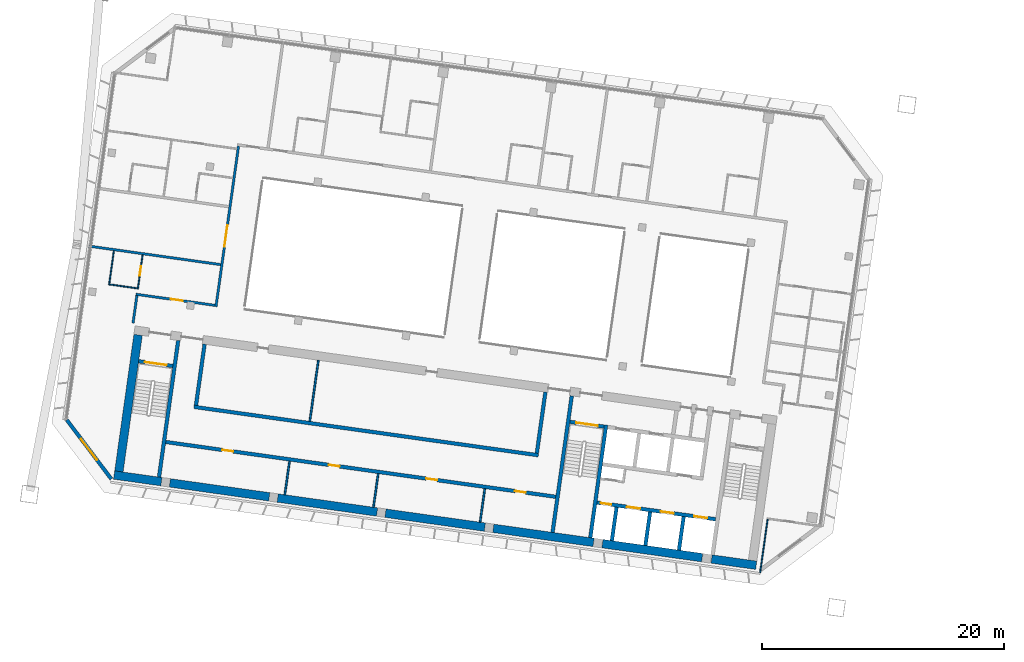
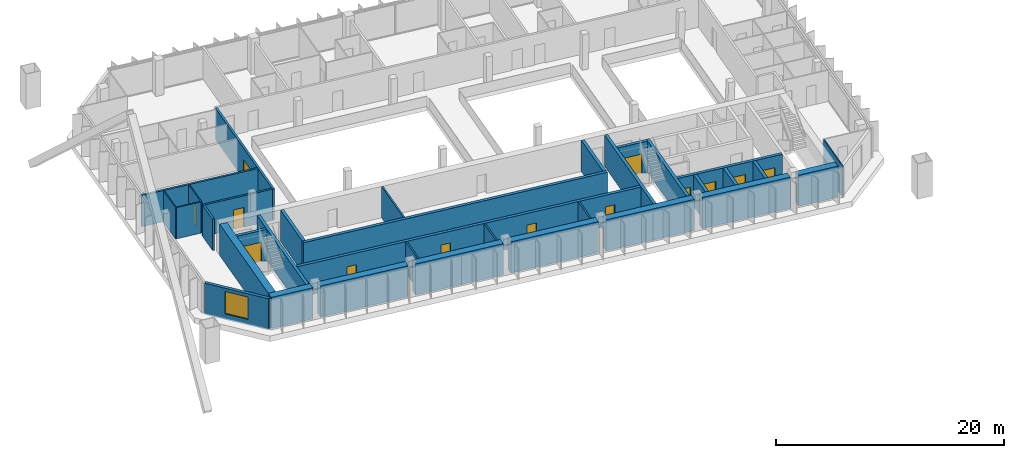
# One storey, part 16 of 28: 34 walls, 13 doors, 1 window, 14 openings.
"""IFC4 building model written with IfcOpenShell, lengths in metres."""

from ifc_helpers import new_model, si_unit, direction, frame, frame_2d, origin, place, context, subcontext, project, spatial, rectangle, extrude, material, layer, layer_set, type_object, element, fill, save


model = new_model("IFC4")

# Units and contexts
model_context = context("Model", 3, precision=1e-05, world=origin(), true_north=direction((0.0, 1.0)))
body_context = subcontext(model_context, "Body", "Model", "MODEL_VIEW")
ifc_project = project(units=[si_unit("LENGTHUNIT", "METRE"), si_unit("AREAUNIT", "SQUARE_METRE"), si_unit("VOLUMEUNIT", "CUBIC_METRE"), si_unit("PLANEANGLEUNIT", "RADIAN"), si_unit("MASSUNIT", "GRAM", prefix="KILO")], contexts=[model_context])

# Site, building, storey
site_placement = place(None, origin())
site = spatial("IfcSite", under=ifc_project, at=site_placement, CompositionType="ELEMENT")
building_placement = place(site_placement, origin())
building = spatial("IfcBuilding", under=site, at=building_placement, Name="Mirante Cascada Hotel Towers", CompositionType="ELEMENT")
storey_placement = place(building_placement, frame((0.0, 0.0, 165.0)))
storey = spatial("IfcBuildingStorey", under=building, at=storey_placement, Name="L38", CompositionType="ELEMENT", Elevation=165.0)

# Wall, opening, door
ifc_material_1 = material(Name="Fire-rated plasterboard on metal studs")
ifc_layer_1 = layer(ifc_material_1, 0.2)
ifc_layer_set_1 = layer_set([ifc_layer_1], Name="Compartment wall 200 EI 120")
wall_type_1 = type_object("IfcWallType", Name="Compartment wall 200 EI 120", PredefinedType="PARTITIONING", material=ifc_layer_set_1)
wall_1_placement = place(storey_placement, frame((-88.5029, 2.7886, 0.0), z_axis=(0.0, 0.0, 1.0), x_axis=(0.990269, -0.1391661, 0.0)))
wall_1 = element("IfcWall", 1, at=wall_1_placement, inside=storey, type_object=wall_type_1, Name="Wall 1-L38-04", PredefinedType="PARTITIONING", context=body_context, shape_type="SweptSolid", body=[
    extrude(rectangle(XDim=6.6, YDim=0.2, at=frame_2d((3.3, 0.0))), origin(), (0.0, 0.0, 1.0), 3.35),
])
opening_1_placement = place(wall_1_placement, frame((2.9, 0.0, 0.0)))
opening_1 = element("IfcOpeningElement", 2, at=opening_1_placement, cuts=wall_1, Name="Opening D1-L38-04", PredefinedType="OPENING", context=body_context, shape_type="SweptSolid", body=[
    extrude(rectangle(XDim=1.0, YDim=2.1, at=frame_2d((0.5, 1.05))), frame((0.0, 0.1, 0.0), z_axis=(0.0, -1.0, 0.0), x_axis=(1.0, 0.0, 0.0)), (0.0, 0.0, 1.0), 0.2),
])
ifc_material_2 = material(Name="Fire-rated timber door leaf", Category="wood")
door_type_1 = type_object("IfcDoorType", Name="Entrance door DG1 1000x2100 EI 60", OperationType="SINGLE_SWING_LEFT", PredefinedType="DOOR", material=ifc_material_2)
door_1_placement = place(opening_1_placement, frame((1.0, 0.0, 0.0), z_axis=(0.0, 0.0, 1.0), x_axis=(-1.0, 0.0, 0.0)))
door_1 = element("IfcDoor", 3, at=door_1_placement, inside=storey, type_object=door_type_1, Name="Door D1-L38-04", OperationType="SINGLE_SWING_RIGHT", OverallHeight=2.1, OverallWidth=1.0, PredefinedType="DOOR", context=body_context, shape_type="SweptSolid", body=[
    extrude(rectangle(XDim=1.0, YDim=2.1, at=frame_2d((0.5, 1.05))), frame((0.0, 0.025, 0.0), z_axis=(0.0, -1.0, 0.0), x_axis=(1.0, 0.0, 0.0)), (0.0, 0.0, 1.0), 0.05),
])
fill(opening_1, door_1)

# Wall
wall_2_placement = place(storey_placement, frame((-92.3869, 6.7679, 0.0), z_axis=(0.0, 0.0, 1.0), x_axis=(0.9902682, -0.1391721, 0.0)))
element("IfcWall", 4, at=wall_2_placement, inside=storey, type_object=wall_type_1, Name="Wall 1-L38-08", PredefinedType="PARTITIONING", context=body_context, shape_type="SweptSolid", body=[
    extrude(rectangle(XDim=11.0001, YDim=0.2, at=frame_2d((5.5, 0.0))), origin(), (0.0, 0.0, 1.0), 3.35),
])

# Wall, opening, door
wall_3_placement = place(storey_placement, frame((-80.0171, 15.0267, 0.0), z_axis=(0.0, 0.0, 1.0), x_axis=(-0.1391716, -0.9902683, 0.0)))
wall_3 = element("IfcWall", 5, at=wall_3_placement, inside=storey, type_object=wall_type_1, Name="Wall 1-L38-44", PredefinedType="PARTITIONING", context=body_context, shape_type="SweptSolid", body=[
    extrude(rectangle(XDim=13.4, YDim=0.2, at=frame_2d((6.7, 0.0))), origin(), (0.0, 0.0, 1.0), 3.35),
])
opening_2_placement = place(wall_3_placement, frame((6.5834, 0.0, 0.0)))
opening_2 = element("IfcOpeningElement", 6, at=opening_2_placement, cuts=wall_3, Name="Opening D1-L38-30", PredefinedType="OPENING", context=body_context, shape_type="SweptSolid", body=[
    extrude(rectangle(XDim=1.8, YDim=2.1, at=frame_2d((0.9, 1.05))), frame((0.0, 0.1, 0.0), z_axis=(0.0, -1.0, 0.0), x_axis=(1.0, 0.0, 0.0)), (0.0, 0.0, 1.0), 0.2),
])
ifc_material_3 = material(Name="Fire-rated timber door leaf", Category="wood")
door_type_2 = type_object("IfcDoorType", Name="Suite double door DG2 1800x2100 EI 60", OperationType="DOUBLE_DOOR_SINGLE_SWING", PredefinedType="DOOR", material=ifc_material_3)
door_2_placement = place(opening_2_placement, origin())
door_2 = element("IfcDoor", 7, at=door_2_placement, inside=storey, type_object=door_type_2, Name="Door D1-L38-30", OperationType="DOUBLE_DOOR_SINGLE_SWING", OverallHeight=2.1, OverallWidth=1.8, PredefinedType="DOOR", context=body_context, shape_type="SweptSolid", body=[
    extrude(rectangle(XDim=0.895, YDim=2.1, at=frame_2d((0.4475, 1.05))), frame((0.0, 0.025, 0.0), z_axis=(0.0, -1.0, 0.0), x_axis=(1.0, 0.0, 0.0)), (0.0, 0.0, 1.0), 0.05),
    extrude(rectangle(XDim=0.895, YDim=2.1, at=frame_2d((1.3525, 1.05))), frame((0.0, 0.025, 0.0), z_axis=(0.0, -1.0, 0.0), x_axis=(1.0, 0.0, 0.0)), (0.0, 0.0, 1.0), 0.05),
])
fill(opening_2, door_2)

# Walls
wall_4_placement = place(storey_placement, frame((-88.7379, 0.3981, 0.0), z_axis=(0.0, 0.0, 1.0), x_axis=(0.1391749, 0.9902678, 0.0)))
element("IfcWall", 8, at=wall_4_placement, inside=storey, type_object=wall_type_1, Name="Wall 1-L38-47", PredefinedType="PARTITIONING", context=body_context, shape_type="SweptSolid", body=[
    extrude(rectangle(XDim=2.3, YDim=0.2, at=frame_2d((1.15, 0.0))), origin(), (0.0, 0.0, 1.0), 3.35),
])
ifc_material_4 = material(Name="Masonry block", Category="masonry")
ifc_layer_2 = layer(ifc_material_4, 0.15)
ifc_layer_set_2 = layer_set([ifc_layer_2], Name="Core room partition 150 block EI 30")
wall_type_2 = type_object("IfcWallType", Name="Core room partition 150 block EI 30", PredefinedType="PARTITIONING", material=ifc_layer_set_2)
wall_5_placement = place(storey_placement, frame((-60.0485, -16.0548, 0.0), z_axis=(0.0, 0.0, 1.0), x_axis=(0.139181, 0.990267, 0.0)))
element("IfcWall", 9, at=wall_5_placement, inside=storey, type_object=wall_type_2, Name="Core wall partition T1 L38 6", PredefinedType="PARTITIONING", context=body_context, shape_type="SweptSolid", body=[
    extrude(rectangle(XDim=2.8, YDim=0.15, at=frame_2d((1.4, 0.0))), origin(), (0.0, 0.0, 1.0), 3.35),
])
wall_6_placement = place(storey_placement, frame((-68.8619, -14.8162, 0.0), z_axis=(0.0, 0.0, 1.0), x_axis=(0.139176, 0.9902677, 0.0)))
element("IfcWall", 10, at=wall_6_placement, inside=storey, type_object=wall_type_2, Name="Core wall partition T1 L38 7", PredefinedType="PARTITIONING", context=body_context, shape_type="SweptSolid", body=[
    extrude(rectangle(XDim=2.8001, YDim=0.15, at=frame_2d((1.4, 0.0))), origin(), (0.0, 0.0, 1.0), 3.35),
])
wall_7_placement = place(storey_placement, frame((-76.1899, -13.7863, 0.0), z_axis=(0.0, 0.0, 1.0), x_axis=(0.139181, 0.990267, 0.0)))
element("IfcWall", 11, at=wall_7_placement, inside=storey, type_object=wall_type_2, Name="Core wall partition T1 L38 8", PredefinedType="PARTITIONING", context=body_context, shape_type="SweptSolid", body=[
    extrude(rectangle(XDim=2.8, YDim=0.15, at=frame_2d((1.4, 0.0))), origin(), (0.0, 0.0, 1.0), 3.35),
])
wall_8_placement = place(storey_placement, frame((-74.1247, -7.7146, 0.0), z_axis=(0.0, 0.0, 1.0), x_axis=(0.139159, 0.9902701, 0.0)))
element("IfcWall", 12, at=wall_8_placement, inside=storey, type_object=wall_type_2, Name="Core wall partition T1 L38 9", PredefinedType="PARTITIONING", context=body_context, shape_type="SweptSolid", body=[
    extrude(rectangle(XDim=5.0999, YDim=0.15, at=frame_2d((2.55, 0.0))), origin(), (0.0, 0.0, 1.0), 3.35),
])

# Wall, openings, doors
ifc_material_5 = material(Name="Masonry block", Category="masonry")
ifc_layer_3 = layer(ifc_material_5, 0.3)
ifc_layer_set_3 = layer_set([ifc_layer_3], Name="Core wall 300 block EI 120")
wall_type_3 = type_object("IfcWallType", Name="Core wall 300 block EI 120", PredefinedType="PARTITIONING", material=ifc_layer_set_3)
wall_9_placement = place(storey_placement, frame((-53.7953, -13.9547, 0.0), z_axis=(0.0, 0.0, 1.0), x_axis=(-0.990268, 0.1391733, 0.0)))
wall_9 = element("IfcWall", 13, at=wall_9_placement, inside=storey, type_object=wall_type_3, Name="Core wall partition T1 L38 5", PredefinedType="PARTITIONING", context=body_context, shape_type="SweptSolid", body=[
    extrude(rectangle(XDim=32.5501, YDim=0.3, at=frame_2d((16.275, 0.0))), origin(), (0.0, 0.0, 1.0), 3.35),
])
opening_3_placement = place(wall_9_placement, frame((2.5, 0.0, 0.0)))
opening_3 = element("IfcOpeningElement", 14, at=opening_3_placement, cuts=wall_9, Name="Opening D1-38-C20", PredefinedType="OPENING", context=body_context, shape_type="SweptSolid", body=[
    extrude(rectangle(XDim=0.9, YDim=2.1, at=frame_2d((0.45, 1.05))), frame((0.0, 0.15, 0.0), z_axis=(0.0, -1.0, 0.0), x_axis=(1.0, 0.0, 0.0)), (0.0, 0.0, 1.0), 0.3),
])
opening_4_placement = place(wall_9_placement, frame((9.9, 0.0, 0.0)))
opening_4 = element("IfcOpeningElement", 15, at=opening_4_placement, cuts=wall_9, Name="Opening D1-38-C21", PredefinedType="OPENING", context=body_context, shape_type="SweptSolid", body=[
    extrude(rectangle(XDim=0.9, YDim=2.1, at=frame_2d((0.45, 1.05))), frame((0.0, 0.15, 0.0), z_axis=(0.0, -1.0, 0.0), x_axis=(1.0, 0.0, 0.0)), (0.0, 0.0, 1.0), 0.3),
])
opening_5_placement = place(wall_9_placement, frame((18.05, 0.0, 0.0)))
opening_5 = element("IfcOpeningElement", 16, at=opening_5_placement, cuts=wall_9, Name="Opening D1-38-C22", PredefinedType="OPENING", context=body_context, shape_type="SweptSolid", body=[
    extrude(rectangle(XDim=0.9, YDim=2.1, at=frame_2d((0.45, 1.05))), frame((0.0, 0.15, 0.0), z_axis=(0.0, -1.0, 0.0), x_axis=(1.0, 0.0, 0.0)), (0.0, 0.0, 1.0), 0.3),
])
opening_6_placement = place(wall_9_placement, frame((26.925, 0.0, 0.0)))
opening_6 = element("IfcOpeningElement", 17, at=opening_6_placement, cuts=wall_9, Name="Opening D1-38-C23", PredefinedType="OPENING", context=body_context, shape_type="SweptSolid", body=[
    extrude(rectangle(XDim=0.9, YDim=2.1, at=frame_2d((0.45, 1.05))), frame((0.0, 0.15, 0.0), z_axis=(0.0, -1.0, 0.0), x_axis=(1.0, 0.0, 0.0)), (0.0, 0.0, 1.0), 0.3),
])
ifc_material_6 = material(Name="Hollow metal fire door leaf")
door_type_3 = type_object("IfcDoorType", Name="Fire door 900x2100 FD60", OperationType="NOTDEFINED", PredefinedType="DOOR", material=ifc_material_6)
door_3_placement = place(opening_3_placement, origin())
door_3 = element("IfcDoor", 18, at=door_3_placement, inside=storey, type_object=door_type_3, Name="Room door T1 L38 20", OperationType="SINGLE_SWING_RIGHT", OverallHeight=2.1, OverallWidth=0.9, PredefinedType="DOOR", context=body_context, shape_type="SweptSolid", body=[
    extrude(rectangle(XDim=0.9, YDim=2.1, at=frame_2d((0.45, 1.05))), frame((0.0, 0.025, 0.0), z_axis=(0.0, -1.0, 0.0), x_axis=(1.0, 0.0, 0.0)), (0.0, 0.0, 1.0), 0.05),
])
fill(opening_3, door_3)
door_4_placement = place(opening_4_placement, origin())
door_4 = element("IfcDoor", 19, at=door_4_placement, inside=storey, type_object=door_type_3, Name="Room door T1 L38 21", OperationType="SINGLE_SWING_RIGHT", OverallHeight=2.1, OverallWidth=0.9, PredefinedType="DOOR", context=body_context, shape_type="SweptSolid", body=[
    extrude(rectangle(XDim=0.9, YDim=2.1, at=frame_2d((0.45, 1.05))), frame((0.0, 0.025, 0.0), z_axis=(0.0, -1.0, 0.0), x_axis=(1.0, 0.0, 0.0)), (0.0, 0.0, 1.0), 0.05),
])
fill(opening_4, door_4)
door_5_placement = place(opening_5_placement, origin())
door_5 = element("IfcDoor", 20, at=door_5_placement, inside=storey, type_object=door_type_3, Name="Room door T1 L38 22", OperationType="SINGLE_SWING_LEFT", OverallHeight=2.1, OverallWidth=0.9, PredefinedType="DOOR", context=body_context, shape_type="SweptSolid", body=[
    extrude(rectangle(XDim=0.9, YDim=2.1, at=frame_2d((0.45, 1.05))), frame((0.0, 0.025, 0.0), z_axis=(0.0, -1.0, 0.0), x_axis=(1.0, 0.0, 0.0)), (0.0, 0.0, 1.0), 0.05),
])
fill(opening_5, door_5)
door_6_placement = place(opening_6_placement, origin())
door_6 = element("IfcDoor", 21, at=door_6_placement, inside=storey, type_object=door_type_3, Name="Room door T1 L38 23", OperationType="SINGLE_SWING_LEFT", OverallHeight=2.1, OverallWidth=0.9, PredefinedType="DOOR", context=body_context, shape_type="SweptSolid", body=[
    extrude(rectangle(XDim=0.9, YDim=2.1, at=frame_2d((0.45, 1.05))), frame((0.0, 0.025, 0.0), z_axis=(0.0, -1.0, 0.0), x_axis=(1.0, 0.0, 0.0)), (0.0, 0.0, 1.0), 0.05),
])
fill(opening_6, door_6)

# Walls
ifc_material_7 = material(Name="Plasterboard on metal studs")
ifc_layer_4 = layer(ifc_material_7, 0.1)
ifc_layer_set_4 = layer_set([ifc_layer_4], Name="Partition 100")
wall_type_4 = type_object("IfcWallType", Name="Partition 100", PredefinedType="PARTITIONING", material=ifc_layer_set_4)
wall_10_placement = place(storey_placement, frame((-88.3838, 3.2768, 0.0), z_axis=(0.0, 0.0, 1.0), x_axis=(-0.9902678, 0.1391749, 0.0)))
element("IfcWall", 22, at=wall_10_placement, inside=storey, type_object=wall_type_4, Name="Wall 1-L38-05", PredefinedType="PARTITIONING", context=body_context, shape_type="SweptSolid", body=[
    extrude(rectangle(XDim=2.3, YDim=0.1, at=frame_2d((1.15, 0.0))), origin(), (0.0, 0.0, 1.0), 3.35),
])
wall_11_placement = place(storey_placement, frame((-36.8997, -20.217, 0.0), z_axis=(0.0, 0.0, 1.0), x_axis=(0.1391904, 0.9902656, 0.0)))
element("IfcWall", 23, at=wall_11_placement, inside=storey, type_object=wall_type_4, Name="Wall 1-L38-27", PredefinedType="PARTITIONING", context=body_context, shape_type="SweptSolid", body=[
    extrude(rectangle(XDim=4.45, YDim=0.1, at=frame_2d((2.225, 0.0))), origin(), (0.0, 0.0, 1.0), 3.35),
])

# Wall, opening, door
wall_12_placement = place(storey_placement, frame((-87.9446, 6.0426, 0.0), z_axis=(0.0, 0.0, 1.0), x_axis=(-0.1391564, -0.9902704, 0.0)))
wall_12 = element("IfcWall", 24, at=wall_12_placement, inside=storey, type_object=wall_type_4, Name="Wall 1-L38-48", PredefinedType="PARTITIONING", context=body_context, shape_type="SweptSolid", body=[
    extrude(rectangle(XDim=2.85, YDim=0.1, at=frame_2d((1.425, 0.0))), origin(), (0.0, 0.0, 1.0), 3.35),
])
opening_7_placement = place(wall_12_placement, frame((0.95, 0.0, 0.0)))
opening_7 = element("IfcOpeningElement", 25, at=opening_7_placement, cuts=wall_12, Name="Opening D1-L38-32", PredefinedType="OPENING", context=body_context, shape_type="SweptSolid", body=[
    extrude(rectangle(XDim=0.8, YDim=2.1, at=frame_2d((0.4, 1.05))), frame((0.0, 0.05, 0.0), z_axis=(0.0, -1.0, 0.0), x_axis=(1.0, 0.0, 0.0)), (0.0, 0.0, 1.0), 0.1),
])
ifc_material_8 = material(Name="Timber door leaf", Category="wood")
door_type_4 = type_object("IfcDoorType", Name="Bathroom door DG4 800x2100", OperationType="SINGLE_SWING_LEFT", PredefinedType="DOOR", material=ifc_material_8)
door_7_placement = place(opening_7_placement, frame((0.8, 0.0, 0.0), z_axis=(0.0, 0.0, 1.0), x_axis=(-1.0, 0.0, 0.0)))
door_7 = element("IfcDoor", 26, at=door_7_placement, inside=storey, type_object=door_type_4, Name="Door D1-L38-32", OperationType="SINGLE_SWING_RIGHT", OverallHeight=2.1, OverallWidth=0.8, PredefinedType="DOOR", context=body_context, shape_type="SweptSolid", body=[
    extrude(rectangle(XDim=0.8, YDim=2.1, at=frame_2d((0.4, 1.05))), frame((0.0, 0.025, 0.0), z_axis=(0.0, -1.0, 0.0), x_axis=(1.0, 0.0, 0.0)), (0.0, 0.0, 1.0), 0.05),
])
fill(opening_7, door_7)

# Wall
wall_13_placement = place(storey_placement, frame((-90.7179, 3.5544, 0.0), z_axis=(0.0, 0.0, 1.0), x_axis=(0.1391957, 0.9902649, 0.0)))
element("IfcWall", 27, at=wall_13_placement, inside=storey, type_object=wall_type_4, Name="Wall 1-L38-51", PredefinedType="PARTITIONING", context=body_context, shape_type="SweptSolid", body=[
    extrude(rectangle(XDim=2.8499, YDim=0.1, at=frame_2d((1.425, 0.0))), origin(), (0.0, 0.0, 1.0), 3.35),
])

# Wall, opening, window
ifc_material_9 = material(Name="Precast concrete C40/50", Category="concrete")
ifc_layer_5 = layer(ifc_material_9, 0.3)
ifc_layer_set_5 = layer_set([ifc_layer_5], Name="Precast concrete C40/50 cladding wall 300")
wall_type_5 = type_object("IfcWallType", Name="Precast concrete C40/50 cladding wall 300", PredefinedType="STANDARD", material=ifc_layer_set_5)
wall_14_placement = place(storey_placement, frame((-90.5299, -12.4841, 0.0), z_axis=(0.0, 0.0, 1.0), x_axis=(-0.6018063, 0.7986421, 0.0)))
wall_14 = element("IfcWall", 28, at=wall_14_placement, inside=storey, type_object=wall_type_5, Name="Corner cladding wall T1 L38 rear outer", PredefinedType="STANDARD", context=body_context, shape_type="SweptSolid", body=[
    extrude(rectangle(XDim=6.1158, YDim=0.3, at=frame_2d((3.0579, 0.0))), origin(), (0.0, 0.0, 1.0), 3.35),
])
opening_8_placement = place(wall_14_placement, frame((1.9578, 0.0, 0.6)))
opening_8 = element("IfcOpeningElement", 29, at=opening_8_placement, cuts=wall_14, Name="Opening W1-38-01", PredefinedType="OPENING", context=body_context, shape_type="SweptSolid", body=[
    extrude(rectangle(XDim=2.2, YDim=2.4, at=frame_2d((1.1, 1.2))), frame((0.0, 0.15, 0.0), z_axis=(0.0, -1.0, 0.0), x_axis=(1.0, 0.0, 0.0)), (0.0, 0.0, 1.0), 0.3),
])
ifc_material_10 = material(Name="Aluminium frame with clear double glazing", Category="aluminium")
window_type = type_object("IfcWindowType", Name="Corner suite window 2200x2400", PartitioningType="DOUBLE_PANEL_VERTICAL", PredefinedType="WINDOW", material=ifc_material_10)
window_placement = place(opening_8_placement, origin())
window = element("IfcWindow", 30, at=window_placement, inside=storey, type_object=window_type, Name="Window W1-38-01", OverallHeight=2.4, OverallWidth=2.2, PartitioningType="SINGLE_PANEL", PredefinedType="WINDOW", context=body_context, shape_type="SweptSolid", body=[
    extrude(rectangle(XDim=2.2, YDim=2.4, at=frame_2d((1.1, 1.2))), frame((0.0, 0.03, 0.0), z_axis=(0.0, -1.0, 0.0), x_axis=(1.0, 0.0, 0.0)), (0.0, 0.0, 1.0), 0.06),
])
fill(opening_8, window)

# Walls
ifc_material_11 = material(Name="Concrete C50/60", Category="concrete")
ifc_layer_6 = layer(ifc_material_11, 0.3)
ifc_layer_set_6 = layer_set([ifc_layer_6], Name="RC core wall 300 C50/60")
wall_type_6 = type_object("IfcWallType", Name="RC core wall 300 C50/60", PredefinedType="SHEAR", material=ifc_layer_set_6)
wall_15_placement = place(storey_placement, frame((-50.938, -17.3352, 0.0), z_axis=(0.0, 0.0, 1.0), x_axis=(0.1391706, 0.9902684, 0.0)))
element("IfcWall", 31, at=wall_15_placement, inside=storey, type_object=wall_type_6, Name="Core wall T1:L38:6", PredefinedType="SHEAR", context=body_context, shape_type="SweptSolid", body=[
    extrude(rectangle(XDim=9.4, YDim=0.3, at=frame_2d((4.7, 0.0))), origin(), (0.0, 0.0, 1.0), 3.35),
])
wall_16_placement = place(storey_placement, frame((-54.0574, -16.8968, 0.0), z_axis=(0.0, 0.0, 1.0), x_axis=(0.1391761, 0.9902677, 0.0)))
element("IfcWall", 32, at=wall_16_placement, inside=storey, type_object=wall_type_6, Name="Core wall T1:L38:7", PredefinedType="SHEAR", context=body_context, shape_type="SweptSolid", body=[
    extrude(rectangle(XDim=11.3999, YDim=0.3, at=frame_2d((5.7, 0.0))), origin(), (0.0, 0.0, 1.0), 3.35),
])
wall_17_placement = place(storey_placement, frame((-86.5877, -12.325, 0.0), z_axis=(0.0, 0.0, 1.0), x_axis=(0.1391749, 0.9902678, 0.0)))
element("IfcWall", 33, at=wall_17_placement, inside=storey, type_object=wall_type_6, Name="Core wall T1:L38:8", PredefinedType="SHEAR", context=body_context, shape_type="SweptSolid", body=[
    extrude(rectangle(XDim=11.4, YDim=0.3, at=frame_2d((5.7, 0.0))), origin(), (0.0, 0.0, 1.0), 3.35),
])

# Wall, opening, door
wall_18_placement = place(storey_placement, frame((-49.7992, -8.1544, 0.0), z_axis=(0.0, 0.0, 1.0), x_axis=(-0.9902656, 0.1391909, 0.0)))
wall_18 = element("IfcWall", 34, at=wall_18_placement, inside=storey, type_object=wall_type_6, Name="Core wall T1:L38:10", PredefinedType="SHEAR", context=body_context, shape_type="SweptSolid", body=[
    extrude(rectangle(XDim=2.85, YDim=0.3, at=frame_2d((1.425, 0.0))), origin(), (0.0, 0.0, 1.0), 3.35),
])
opening_9_placement = place(wall_18_placement, frame((0.525, 0.0, 0.0)))
opening_9 = element("IfcOpeningElement", 35, at=opening_9_placement, cuts=wall_18, Name="Opening D1-38-C09", PredefinedType="OPENING", context=body_context, shape_type="SweptSolid", body=[
    extrude(rectangle(XDim=1.8, YDim=2.1, at=frame_2d((0.9, 1.05))), frame((0.0, 0.15, 0.0), z_axis=(0.0, -1.0, 0.0), x_axis=(1.0, 0.0, 0.0)), (0.0, 0.0, 1.0), 0.3),
])
ifc_material_12 = material(Name="Hollow metal fire door leaf")
door_type_5 = type_object("IfcDoorType", Name="Double fire door 1800x2100 FD60", OperationType="DOUBLE_DOOR_SINGLE_SWING", PredefinedType="DOOR", material=ifc_material_12)
door_8_placement = place(opening_9_placement, origin())
door_8 = element("IfcDoor", 36, at=door_8_placement, inside=storey, type_object=door_type_5, Name="Stair door T1 L38 9", OperationType="DOUBLE_DOOR_SINGLE_SWING", OverallHeight=2.1, OverallWidth=1.8, PredefinedType="DOOR", context=body_context, shape_type="SweptSolid", body=[
    extrude(rectangle(XDim=0.895, YDim=2.1, at=frame_2d((0.4475, 1.05))), frame((0.0, 0.025, 0.0), z_axis=(0.0, -1.0, 0.0), x_axis=(1.0, 0.0, 0.0)), (0.0, 0.0, 1.0), 0.05),
    extrude(rectangle(XDim=0.895, YDim=2.1, at=frame_2d((1.3525, 1.05))), frame((0.0, 0.025, 0.0), z_axis=(0.0, -1.0, 0.0), x_axis=(1.0, 0.0, 0.0)), (0.0, 0.0, 1.0), 0.05),
])
fill(opening_9, door_8)

wall_19_placement = place(storey_placement, frame((-85.4489, -3.1441, 0.0), z_axis=(0.0, 0.0, 1.0), x_axis=(-0.9902697, 0.1391613, 0.0)))
wall_19 = element("IfcWall", 37, at=wall_19_placement, inside=storey, type_object=wall_type_6, Name="Core wall T1:L38:11", PredefinedType="SHEAR", context=body_context, shape_type="SweptSolid", body=[
    extrude(rectangle(XDim=2.8499, YDim=0.3, at=frame_2d((1.425, 0.0))), origin(), (0.0, 0.0, 1.0), 3.35),
])
opening_10_placement = place(wall_19_placement, frame((0.525, 0.0, 0.0)))
opening_10 = element("IfcOpeningElement", 38, at=opening_10_placement, cuts=wall_19, Name="Opening D1-38-C11", PredefinedType="OPENING", context=body_context, shape_type="SweptSolid", body=[
    extrude(rectangle(XDim=1.8, YDim=2.1, at=frame_2d((0.9, 1.05))), frame((0.0, 0.15, 0.0), z_axis=(0.0, -1.0, 0.0), x_axis=(1.0, 0.0, 0.0)), (0.0, 0.0, 1.0), 0.3),
])
door_9_placement = place(opening_10_placement, origin())
door_9 = element("IfcDoor", 39, at=door_9_placement, inside=storey, type_object=door_type_5, Name="Stair door T1 L38 11", OperationType="DOUBLE_DOOR_SINGLE_SWING", OverallHeight=2.1, OverallWidth=1.8, PredefinedType="DOOR", context=body_context, shape_type="SweptSolid", body=[
    extrude(rectangle(XDim=0.895, YDim=2.1, at=frame_2d((0.4475, 1.05))), frame((0.0, 0.025, 0.0), z_axis=(0.0, -1.0, 0.0), x_axis=(1.0, 0.0, 0.0)), (0.0, 0.0, 1.0), 0.05),
    extrude(rectangle(XDim=0.895, YDim=2.1, at=frame_2d((1.3525, 1.05))), frame((0.0, 0.025, 0.0), z_axis=(0.0, -1.0, 0.0), x_axis=(1.0, 0.0, 0.0)), (0.0, 0.0, 1.0), 0.05),
])
fill(opening_10, door_9)

# Wall, openings, doors
wall_20_placement = place(storey_placement, frame((-40.5753, -15.8126, 0.0), z_axis=(0.0, 0.0, 1.0), x_axis=(-0.9902682, 0.1391725, 0.0)))
wall_20 = element("IfcWall", 40, at=wall_20_placement, inside=storey, type_object=wall_type_6, Name="Core wall T1:L38:12", PredefinedType="SHEAR", context=body_context, shape_type="SweptSolid", body=[
    extrude(rectangle(XDim=9.8999, YDim=0.3, at=frame_2d((4.95, 0.0))), origin(), (0.0, 0.0, 1.0), 3.35),
])
opening_11_placement = place(wall_20_placement, frame((0.7, 0.0, 0.0)))
opening_11 = element("IfcOpeningElement", 41, at=opening_11_placement, cuts=wall_20, Name="Opening LD", PredefinedType="OPENING", context=body_context, shape_type="SweptSolid", body=[
    extrude(rectangle(XDim=1.1, YDim=2.1, at=frame_2d((0.55, 1.05))), frame((0.0, 0.15, 0.0), z_axis=(0.0, -1.0, 0.0), x_axis=(1.0, 0.0, 0.0)), (0.0, 0.0, 1.0), 0.3),
])
opening_12_placement = place(wall_20_placement, frame((3.5, 0.0, 0.0)))
opening_12 = element("IfcOpeningElement", 42, at=opening_12_placement, cuts=wall_20, Name="Opening LD", PredefinedType="OPENING", context=body_context, shape_type="SweptSolid", body=[
    extrude(rectangle(XDim=1.1, YDim=2.1, at=frame_2d((0.55, 1.05))), frame((0.0, 0.15, 0.0), z_axis=(0.0, -1.0, 0.0), x_axis=(1.0, 0.0, 0.0)), (0.0, 0.0, 1.0), 0.3),
])
opening_13_placement = place(wall_20_placement, frame((6.3, 0.0, 0.0)))
opening_13 = element("IfcOpeningElement", 43, at=opening_13_placement, cuts=wall_20, Name="Opening LD", PredefinedType="OPENING", context=body_context, shape_type="SweptSolid", body=[
    extrude(rectangle(XDim=1.1, YDim=2.1, at=frame_2d((0.55, 1.05))), frame((0.0, 0.15, 0.0), z_axis=(0.0, -1.0, 0.0), x_axis=(1.0, 0.0, 0.0)), (0.0, 0.0, 1.0), 0.3),
])
opening_14_placement = place(wall_20_placement, frame((8.7, 0.0, 0.0)))
opening_14 = element("IfcOpeningElement", 44, at=opening_14_placement, cuts=wall_20, Name="Opening D1-38-C16", PredefinedType="OPENING", context=body_context, shape_type="SweptSolid", body=[
    extrude(rectangle(XDim=0.9, YDim=2.1, at=frame_2d((0.45, 1.05))), frame((0.0, 0.15, 0.0), z_axis=(0.0, -1.0, 0.0), x_axis=(1.0, 0.0, 0.0)), (0.0, 0.0, 1.0), 0.3),
])
door_10_placement = place(opening_14_placement, origin())
door_10 = element("IfcDoor", 45, at=door_10_placement, inside=storey, type_object=door_type_3, Name="Riser door T1 L38 16", OperationType="SINGLE_SWING_LEFT", OverallHeight=2.1, OverallWidth=0.9, PredefinedType="DOOR", context=body_context, shape_type="SweptSolid", body=[
    extrude(rectangle(XDim=0.9, YDim=2.1, at=frame_2d((0.45, 1.05))), frame((0.0, 0.025, 0.0), z_axis=(0.0, -1.0, 0.0), x_axis=(1.0, 0.0, 0.0)), (0.0, 0.0, 1.0), 0.05),
])
fill(opening_14, door_10)
ifc_material_13 = material(Name="Stainless steel", Category="steel")
door_type_6 = type_object("IfcDoorType", Name="Lift landing door 1100x2100 EI 120", OperationType="DOUBLE_DOOR_SLIDING", PredefinedType="DOOR", material=ifc_material_13)
door_11_placement = place(opening_11_placement, origin())
door_11 = element("IfcDoor", 46, at=door_11_placement, inside=storey, type_object=door_type_6, Name="Lift landing door HR1-1 L38", OperationType="DOUBLE_DOOR_SLIDING", OverallHeight=2.1, OverallWidth=1.1, PredefinedType="DOOR", context=body_context, shape_type="SweptSolid", body=[
    extrude(rectangle(XDim=0.545, YDim=2.1, at=frame_2d((0.2725, 1.05))), frame((0.0, 0.025, 0.0), z_axis=(0.0, -1.0, 0.0), x_axis=(1.0, 0.0, 0.0)), (0.0, 0.0, 1.0), 0.05),
    extrude(rectangle(XDim=0.545, YDim=2.1, at=frame_2d((0.8275, 1.05))), frame((0.0, 0.025, 0.0), z_axis=(0.0, -1.0, 0.0), x_axis=(1.0, 0.0, 0.0)), (0.0, 0.0, 1.0), 0.05),
])
fill(opening_11, door_11)
door_12_placement = place(opening_12_placement, origin())
door_12 = element("IfcDoor", 47, at=door_12_placement, inside=storey, type_object=door_type_6, Name="Lift landing door HR1-2 L38", OperationType="DOUBLE_DOOR_SLIDING", OverallHeight=2.1, OverallWidth=1.1, PredefinedType="DOOR", context=body_context, shape_type="SweptSolid", body=[
    extrude(rectangle(XDim=0.545, YDim=2.1, at=frame_2d((0.2725, 1.05))), frame((0.0, 0.025, 0.0), z_axis=(0.0, -1.0, 0.0), x_axis=(1.0, 0.0, 0.0)), (0.0, 0.0, 1.0), 0.05),
    extrude(rectangle(XDim=0.545, YDim=2.1, at=frame_2d((0.8275, 1.05))), frame((0.0, 0.025, 0.0), z_axis=(0.0, -1.0, 0.0), x_axis=(1.0, 0.0, 0.0)), (0.0, 0.0, 1.0), 0.05),
])
fill(opening_12, door_12)
door_13_placement = place(opening_13_placement, origin())
door_13 = element("IfcDoor", 48, at=door_13_placement, inside=storey, type_object=door_type_6, Name="Lift landing door HR1-3 L38", OperationType="DOUBLE_DOOR_SLIDING", OverallHeight=2.1, OverallWidth=1.1, PredefinedType="DOOR", context=body_context, shape_type="SweptSolid", body=[
    extrude(rectangle(XDim=0.545, YDim=2.1, at=frame_2d((0.2725, 1.05))), frame((0.0, 0.025, 0.0), z_axis=(0.0, -1.0, 0.0), x_axis=(1.0, 0.0, 0.0)), (0.0, 0.0, 1.0), 0.05),
    extrude(rectangle(XDim=0.545, YDim=2.1, at=frame_2d((0.8275, 1.05))), frame((0.0, 0.025, 0.0), z_axis=(0.0, -1.0, 0.0), x_axis=(1.0, 0.0, 0.0)), (0.0, 0.0, 1.0), 0.05),
])
fill(opening_13, door_13)

# Walls
wall_21_placement = place(storey_placement, frame((-43.61, -18.3651, 0.0), z_axis=(0.0, 0.0, 1.0), x_axis=(0.1391459, 0.9902719, 0.0)))
element("IfcWall", 49, at=wall_21_placement, inside=storey, type_object=wall_type_6, Name="Core wall T1:L38:15", PredefinedType="SHEAR", context=body_context, shape_type="SweptSolid", body=[
    extrude(rectangle(XDim=2.7999, YDim=0.3, at=frame_2d((1.4, 0.0))), origin(), (0.0, 0.0, 1.0), 3.35),
])
wall_22_placement = place(storey_placement, frame((-46.3828, -17.9754, 0.0), z_axis=(0.0, 0.0, 1.0), x_axis=(0.139181, 0.990267, 0.0)))
element("IfcWall", 50, at=wall_22_placement, inside=storey, type_object=wall_type_6, Name="Core wall T1:L38:16", PredefinedType="SHEAR", context=body_context, shape_type="SweptSolid", body=[
    extrude(rectangle(XDim=2.8, YDim=0.3, at=frame_2d((1.4, 0.0))), origin(), (0.0, 0.0, 1.0), 3.35),
])
wall_23_placement = place(storey_placement, frame((-49.1555, -17.5857, 0.0), z_axis=(0.0, 0.0, 1.0), x_axis=(0.1391459, 0.9902719, 0.0)))
element("IfcWall", 51, at=wall_23_placement, inside=storey, type_object=wall_type_6, Name="Core wall T1:L38:17", PredefinedType="SHEAR", context=body_context, shape_type="SweptSolid", body=[
    extrude(rectangle(XDim=2.7999, YDim=0.3, at=frame_2d((1.4, 0.0))), origin(), (0.0, 0.0, 1.0), 3.35),
])
wall_24_placement = place(storey_placement, frame((-55.2315, -10.5214, 0.0), z_axis=(0.0, 0.0, 1.0), x_axis=(-0.9902682, 0.1391722, 0.0)))
element("IfcWall", 52, at=wall_24_placement, inside=storey, type_object=wall_type_6, Name="Core wall T1:L38:29", PredefinedType="SHEAR", context=body_context, shape_type="SweptSolid", body=[
    extrude(rectangle(XDim=28.75, YDim=0.3, at=frame_2d((14.375, 0.0))), origin(), (0.0, 0.0, 1.0), 3.35),
])
for number, where, z_axis, x_axis, name in (
    (53, (-55.3592, -10.352, 0.0), (0.0, 0.0, 1.0), (0.1391755, 0.9902677, 0.0), "Core wall T1:L38:30"),
    (54, (-83.5323, -6.3925, 0.0), (0.0, 0.0, 1.0), (0.1391755, 0.9902677, 0.0), "Core wall T1:L38:31"),
):
    element("IfcWall", number, at=place(storey_placement, frame(where, z_axis=z_axis, x_axis=x_axis)), inside=storey, type_object=wall_type_6, Name=name, PredefinedType="SHEAR", context=body_context, shape_type="SweptSolid", body=[
        extrude(rectangle(XDim=5.1, YDim=0.3, at=frame_2d((2.55, 0.0))), origin(), (0.0, 0.0, 1.0), 3.35),
    ])
ifc_material_14 = material(Name="Concrete C50/60", Category="concrete")
ifc_layer_7 = layer(ifc_material_14, 0.7)
ifc_layer_set_7 = layer_set([ifc_layer_7], Name="RC core wall 700 C50/60")
wall_type_7 = type_object("IfcWallType", Name="RC core wall 700 C50/60", PredefinedType="SHEAR", material=ifc_layer_set_7)
wall_25_placement = place(storey_placement, frame((-37.222, -19.6163, 0.0), z_axis=(0.0, 0.0, 1.0), x_axis=(-0.990268, 0.1391734, 0.0)))
element("IfcWall", 55, at=wall_25_placement, inside=storey, type_object=wall_type_7, Name="Core wall T1:L38:1.1", PredefinedType="SHEAR", context=body_context, shape_type="SweptSolid", body=[
    extrude(rectangle(XDim=3.7249, YDim=0.7, at=frame_2d((1.8624, 0.0))), origin(), (0.0, 0.0, 1.0), 3.35),
])
wall_26_placement = place(storey_placement, frame((-41.6928, -18.988, 0.0), z_axis=(0.0, 0.0, 1.0), x_axis=(-0.990268, 0.1391736, 0.0)))
element("IfcWall", 56, at=wall_26_placement, inside=storey, type_object=wall_type_7, Name="Core wall T1:L38:1.2", PredefinedType="SHEAR", context=body_context, shape_type="SweptSolid", body=[
    extrude(rectangle(XDim=8.3227, YDim=0.7, at=frame_2d((4.1614, 0.0))), origin(), (0.0, 0.0, 1.0), 3.35),
])
wall_27_placement = place(storey_placement, frame((-50.6722, -17.726, 0.0), z_axis=(0.0, 0.0, 1.0), x_axis=(-0.9902689, 0.1391673, 0.0)))
element("IfcWall", 57, at=wall_27_placement, inside=storey, type_object=wall_type_7, Name="Core wall T1:L38:1.3", PredefinedType="SHEAR", context=body_context, shape_type="SweptSolid", body=[
    extrude(rectangle(XDim=8.3676, YDim=0.7, at=frame_2d((4.1838, 0.0))), origin(), (0.0, 0.0, 1.0), 3.35),
])
for number, where, z_axis, x_axis, name in (
    (58, (-59.6516, -16.4641, 0.0), (0.0, 0.0, 1.0), (-0.990267, 0.139181, 0.0), "Core wall T1:L38:1.4"),
    (59, (-68.564, -15.2115, 0.0), (0.0, 0.0, 1.0), (-0.9902686, 0.1391692, 0.0), "Core wall T1:L38:1.5"),
    (60, (-77.4764, -13.9589, 0.0), (0.0, 0.0, 1.0), (-0.9902686, 0.1391692, 0.0), "Core wall T1:L38:1.6"),
):
    element("IfcWall", number, at=place(storey_placement, frame(where, z_axis=z_axis, x_axis=x_axis)), inside=storey, type_object=wall_type_7, Name=name, PredefinedType="SHEAR", context=body_context, shape_type="SweptSolid", body=[
        extrude(rectangle(XDim=8.3, YDim=0.7, at=frame_2d((4.15, 0.0))), origin(), (0.0, 0.0, 1.0), 3.35),
    ])
wall_28_placement = place(storey_placement, frame((-86.3888, -12.7064, 0.0), z_axis=(0.0, 0.0, 1.0), x_axis=(-0.9902694, 0.1391633, 0.0)))
element("IfcWall", 61, at=wall_28_placement, inside=storey, type_object=wall_type_7, Name="Core wall T1:L38:1.7", PredefinedType="SHEAR", context=body_context, shape_type="SweptSolid", body=[
    extrude(rectangle(XDim=3.95, YDim=0.7, at=frame_2d((1.975, 0.0))), origin(), (0.0, 0.0, 1.0), 3.35),
])
wall_29_placement = place(storey_placement, frame((-89.9051, -11.8588, 0.0), z_axis=(0.0, 0.0, 1.0), x_axis=(0.1391749, 0.9902678, 0.0)))
element("IfcWall", 62, at=wall_29_placement, inside=storey, type_object=wall_type_7, Name="Core wall T1:L38:4", PredefinedType="SHEAR", context=body_context, shape_type="SweptSolid", body=[
    extrude(rectangle(XDim=11.4, YDim=0.7, at=frame_2d((5.7, 0.0))), origin(), (0.0, 0.0, 1.0), 3.35),
])

save(model, "model.ifc")
